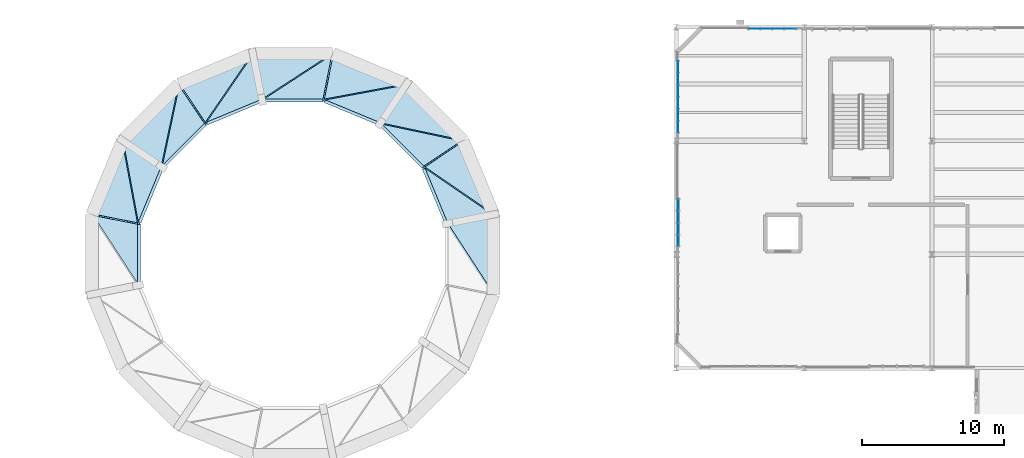
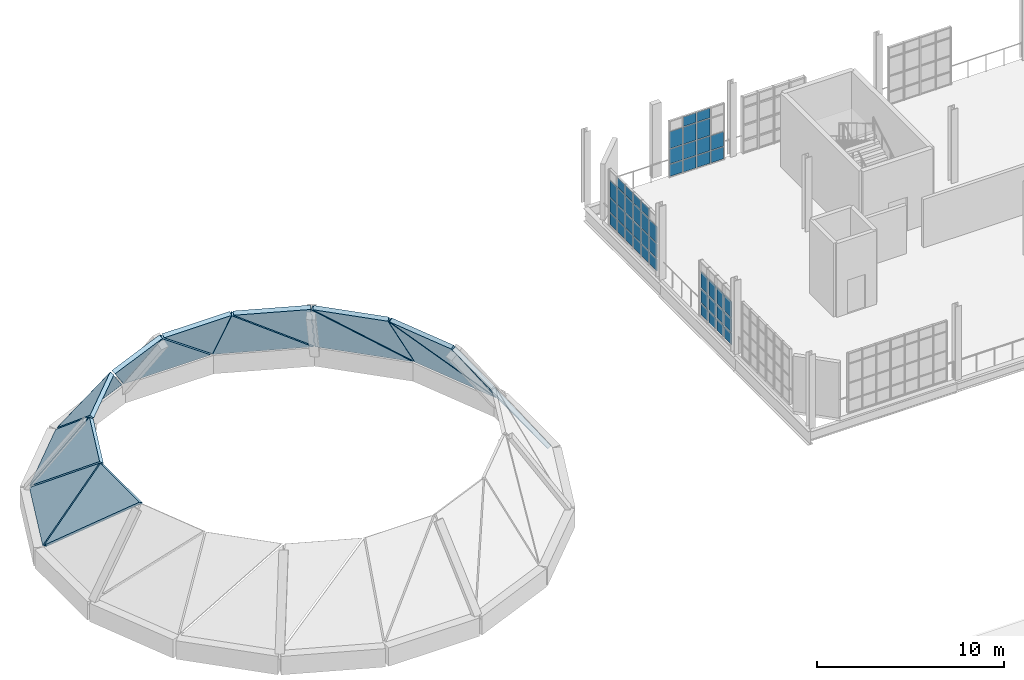
# One storey, part 96 of 118: 47 plates, 16 slabs, 3 elements without a shape of their own.
"""IFC4 building model written with IfcOpenShell, lengths in metres."""

from ifc_helpers import new_model, si_unit, direction, frame, origin, origin_2d, place, context, subcontext, project, spatial, polyline, rectangle, outline, extrude, material, layer, layer_set, type_object, element, aggregate, save


model = new_model("IFC4")

# Units and contexts
model_context = context("Model", 3, precision=1e-05, world=origin(), true_north=direction((0.0, 1.0)))
body_context = subcontext(model_context, "Body", "Model", "MODEL_VIEW")
ifc_project = project(units=[si_unit("LENGTHUNIT", "METRE"), si_unit("AREAUNIT", "SQUARE_METRE"), si_unit("VOLUMEUNIT", "CUBIC_METRE"), si_unit("PLANEANGLEUNIT", "RADIAN"), si_unit("MASSUNIT", "GRAM", prefix="KILO"), si_unit("THERMODYNAMICTEMPERATUREUNIT", "KELVIN"), si_unit("POWERUNIT", "WATT")], contexts=[model_context])

# Site, building, storey
site_placement = place(None, origin())
site = spatial("IfcSite", under=ifc_project, at=site_placement, CompositionType="ELEMENT")
building_placement = place(site_placement, origin())
building = spatial("IfcBuilding", under=site, at=building_placement, Name="Zelmaris Science Centre", CompositionType="ELEMENT")
storey_placement = place(building_placement, frame((0.0, 0.0, 15.60009765625)))
storey = spatial("IfcBuildingStorey", under=building, at=storey_placement, Name="L03", CompositionType="ELEMENT", Elevation=15.60009765625)

# Curtain wall, plates
ifc_material_1 = material(Name="Anodised architectural aluminium 6063-T6", Category="aluminium")
ifc_layer_1 = layer(ifc_material_1, 0.18994140625, Name="Anodised architectural aluminium 6063-T6")
ifc_layer_set_1 = layer_set([ifc_layer_1], Name="Anodised architectural aluminium 6063-T6")
curtain_wall_type_1 = type_object("IfcCurtainWallType", Name="Curtain Wall CW-01", PredefinedType="USERDEFINED", material=ifc_layer_set_1)
curtain_wall_1_placement = place(storey_placement, origin())
curtain_wall_1 = element("IfcCurtainWall", 1, at=curtain_wall_1_placement, inside=storey, type_object=curtain_wall_type_1, Name="L03 Unitised curtain wall 277", ObjectType="GLAZED CURTAIN WALL", PredefinedType="USERDEFINED")
ifc_material_2 = material(Name="Laminated hurricane-rated low-E insulated glazing", Category="glass")
ifc_layer_2 = layer(ifc_material_2, 0.031982421875, Name="Laminated hurricane-rated low-E insulated glazing")
ifc_layer_set_2 = layer_set([ifc_layer_2], Name="Laminated hurricane-rated low-E insulated glazing")
plate_type_1 = type_object("IfcPlateType", Name="Curtain Glazing Panel CWP-1 32mm", PredefinedType="CURTAIN_PANEL", material=ifc_layer_set_2)
plate_1_placement = place(storey_placement, frame((54.1201171875, 72.98291015625, 0.05712890625), z_axis=(0.0, 0.0, 1.0), x_axis=(0.0, 1.0, 0.0)))
plate_1 = element("IfcPlate", 2, at=plate_1_placement, type_object=plate_type_1, Name="CW-01 panel 1.1", PredefinedType="CURTAIN_PANEL", context=body_context, shape_type="SweptSolid", body=[
    extrude(rectangle(XDim=0.741943359375, YDim=0.031982421875, at=origin_2d()), origin(), (0.0, 0.0, 1.0), 0.741943359375),
])
plate_2_placement = place(storey_placement, frame((54.1201171875, 72.98291015625, 0.87109375), z_axis=(0.0, 0.0, 1.0), x_axis=(0.0, 1.0, 0.0)))
plate_2 = element("IfcPlate", 3, at=plate_2_placement, type_object=plate_type_1, Name="CW-01 panel 1.2", PredefinedType="CURTAIN_PANEL", context=body_context, shape_type="SweptSolid", body=[
    extrude(rectangle(XDim=0.741943359375, YDim=0.031982421875, at=origin_2d()), origin(), (0.0, 0.0, 1.0), 0.886962890625),
])
plate_3_placement = place(storey_placement, frame((54.1201171875, 72.98291015625, 1.829833984375), z_axis=(0.0, 0.0, 1.0), x_axis=(0.0, 1.0, 0.0)))
plate_3 = element("IfcPlate", 4, at=plate_3_placement, type_object=plate_type_1, Name="CW-01 panel 1.3", PredefinedType="CURTAIN_PANEL", context=body_context, shape_type="SweptSolid", body=[
    extrude(rectangle(XDim=0.741943359375, YDim=0.031982421875, at=origin_2d()), origin(), (0.0, 0.0, 1.0), 1.037109375),
])
plate_4_placement = place(storey_placement, frame((54.1201171875, 73.81494140625, 0.05712890625), z_axis=(0.0, 0.0, 1.0), x_axis=(0.0, 1.0, 0.0)))
plate_4 = element("IfcPlate", 5, at=plate_4_placement, type_object=plate_type_1, Name="CW-01 panel 2.1", PredefinedType="CURTAIN_PANEL", context=body_context, shape_type="SweptSolid", body=[
    extrude(rectangle(XDim=0.778076171875, YDim=0.031982421875, at=origin_2d()), origin(), (0.0, 0.0, 1.0), 0.741943359375),
])
plate_5_placement = place(storey_placement, frame((54.1201171875, 73.81494140625, 0.87109375), z_axis=(0.0, 0.0, 1.0), x_axis=(0.0, 1.0, 0.0)))
plate_5 = element("IfcPlate", 6, at=plate_5_placement, type_object=plate_type_1, Name="CW-01 panel 2.2", PredefinedType="CURTAIN_PANEL", context=body_context, shape_type="SweptSolid", body=[
    extrude(rectangle(XDim=0.778076171875, YDim=0.031982421875, at=origin_2d()), origin(), (0.0, 0.0, 1.0), 0.886962890625),
])
plate_6_placement = place(storey_placement, frame((54.1201171875, 73.81494140625, 1.829833984375), z_axis=(0.0, 0.0, 1.0), x_axis=(0.0, 1.0, 0.0)))
plate_6 = element("IfcPlate", 7, at=plate_6_placement, type_object=plate_type_1, Name="CW-01 panel 2.3", PredefinedType="CURTAIN_PANEL", context=body_context, shape_type="SweptSolid", body=[
    extrude(rectangle(XDim=0.778076171875, YDim=0.031982421875, at=origin_2d()), origin(), (0.0, 0.0, 1.0), 1.037109375),
])
plate_7_placement = place(storey_placement, frame((54.1201171875, 74.6650390625, 0.05712890625), z_axis=(0.0, 0.0, 1.0), x_axis=(0.0, 1.0, 0.0)))
plate_7 = element("IfcPlate", 8, at=plate_7_placement, type_object=plate_type_1, Name="CW-01 panel 3.1", PredefinedType="CURTAIN_PANEL", context=body_context, shape_type="SweptSolid", body=[
    extrude(rectangle(XDim=0.778076171875, YDim=0.031982421875, at=origin_2d()), origin(), (0.0, 0.0, 1.0), 0.741943359375),
])
plate_8_placement = place(storey_placement, frame((54.1201171875, 74.6650390625, 0.87109375), z_axis=(0.0, 0.0, 1.0), x_axis=(0.0, 1.0, 0.0)))
plate_8 = element("IfcPlate", 9, at=plate_8_placement, type_object=plate_type_1, Name="CW-01 panel 3.2", PredefinedType="CURTAIN_PANEL", context=body_context, shape_type="SweptSolid", body=[
    extrude(rectangle(XDim=0.778076171875, YDim=0.031982421875, at=origin_2d()), origin(), (0.0, 0.0, 1.0), 0.886962890625),
])
plate_9_placement = place(storey_placement, frame((54.1201171875, 74.6650390625, 1.829833984375), z_axis=(0.0, 0.0, 1.0), x_axis=(0.0, 1.0, 0.0)))
plate_9 = element("IfcPlate", 10, at=plate_9_placement, type_object=plate_type_1, Name="CW-01 panel 3.3", PredefinedType="CURTAIN_PANEL", context=body_context, shape_type="SweptSolid", body=[
    extrude(rectangle(XDim=0.778076171875, YDim=0.031982421875, at=origin_2d()), origin(), (0.0, 0.0, 1.0), 1.037109375),
])
plate_10_placement = place(storey_placement, frame((54.1201171875, 75.4970703125, 0.05712890625), z_axis=(0.0, 0.0, 1.0), x_axis=(0.0, 1.0, 0.0)))
plate_10 = element("IfcPlate", 11, at=plate_10_placement, type_object=plate_type_1, Name="CW-01 panel 4.1", PredefinedType="CURTAIN_PANEL", context=body_context, shape_type="SweptSolid", body=[
    extrude(rectangle(XDim=0.741943359375, YDim=0.031982421875, at=origin_2d()), origin(), (0.0, 0.0, 1.0), 0.741943359375),
])
plate_11_placement = place(storey_placement, frame((54.1201171875, 75.4970703125, 0.87109375), z_axis=(0.0, 0.0, 1.0), x_axis=(0.0, 1.0, 0.0)))
plate_11 = element("IfcPlate", 12, at=plate_11_placement, type_object=plate_type_1, Name="CW-01 panel 4.2", PredefinedType="CURTAIN_PANEL", context=body_context, shape_type="SweptSolid", body=[
    extrude(rectangle(XDim=0.741943359375, YDim=0.031982421875, at=origin_2d()), origin(), (0.0, 0.0, 1.0), 0.886962890625),
])
plate_12_placement = place(storey_placement, frame((54.1201171875, 75.4970703125, 1.829833984375), z_axis=(0.0, 0.0, 1.0), x_axis=(0.0, 1.0, 0.0)))
plate_12 = element("IfcPlate", 13, at=plate_12_placement, type_object=plate_type_1, Name="CW-01 panel 4.3", PredefinedType="CURTAIN_PANEL", context=body_context, shape_type="SweptSolid", body=[
    extrude(rectangle(XDim=0.741943359375, YDim=0.031982421875, at=origin_2d()), origin(), (0.0, 0.0, 1.0), 1.037109375),
])
aggregate(curtain_wall_1, [plate_1, plate_2, plate_3, plate_4, plate_5, plate_6, plate_7, plate_8, plate_9, plate_10, plate_11, plate_12])

ifc_layer_3 = layer(ifc_material_1, 0.2099609375, Name="Anodised architectural aluminium 6063-T6")
ifc_layer_set_3 = layer_set([ifc_layer_3], Name="Anodised architectural aluminium 6063-T6")
curtain_wall_type_2 = type_object("IfcCurtainWallType", Name="Curtain Wall CW-03", PredefinedType="USERDEFINED", material=ifc_layer_set_3)
curtain_wall_2_placement = place(storey_placement, origin())
curtain_wall_2 = element("IfcCurtainWall", 14, at=curtain_wall_2_placement, inside=storey, type_object=curtain_wall_type_2, Name="L03 Unitised curtain wall 279", ObjectType="GLAZED CURTAIN WALL", PredefinedType="USERDEFINED")
ifc_layer_4 = layer(ifc_material_2, 0.02587890625, Name="Laminated hurricane-rated low-E insulated glazing")
ifc_layer_set_4 = layer_set([ifc_layer_4], Name="Laminated hurricane-rated low-E insulated glazing")
plate_type_2 = type_object("IfcPlateType", Name="Curtain Glazing Panel CWP-3 26mm", PredefinedType="CURTAIN_PANEL", material=ifc_layer_set_4)
plate_13_placement = place(storey_placement, frame((54.1201171875, 80.98095703125, 0.0419921875), z_axis=(0.0, 0.0, 1.0), x_axis=(0.0, 1.0, 0.0)))
plate_13 = element("IfcPlate", 15, at=plate_13_placement, type_object=plate_type_2, Name="CW-03 panel 1.1", PredefinedType="CURTAIN_PANEL", context=body_context, shape_type="SweptSolid", body=[
    extrude(rectangle(XDim=0.767822265625, YDim=0.02587890625, at=origin_2d()), origin(), (0.0, 0.0, 1.0), 0.764404296875),
])
plate_14_placement = place(storey_placement, frame((54.1201171875, 80.98095703125, 0.86328125), z_axis=(0.0, 0.0, 1.0), x_axis=(0.0, 1.0, 0.0)))
plate_14 = element("IfcPlate", 16, at=plate_14_placement, type_object=plate_type_2, Name="CW-03 panel 1.2", PredefinedType="CURTAIN_PANEL", context=body_context, shape_type="SweptSolid", body=[
    extrude(rectangle(XDim=0.767822265625, YDim=0.02587890625, at=origin_2d()), origin(), (0.0, 0.0, 1.0), 0.927490234375),
])
plate_15_placement = place(storey_placement, frame((54.1201171875, 80.98095703125, 1.84814453125), z_axis=(0.0, 0.0, 1.0), x_axis=(0.0, 1.0, 0.0)))
plate_15 = element("IfcPlate", 17, at=plate_15_placement, type_object=plate_type_2, Name="CW-03 panel 1.3", PredefinedType="CURTAIN_PANEL", context=body_context, shape_type="SweptSolid", body=[
    extrude(rectangle(XDim=0.767822265625, YDim=0.02587890625, at=origin_2d()), origin(), (0.0, 0.0, 1.0), 1.077392578125),
])
plate_16_placement = place(storey_placement, frame((54.1201171875, 81.820068359375, 0.0419921875), z_axis=(0.0, 0.0, 1.0), x_axis=(0.0, 1.0, 0.0)))
plate_16 = element("IfcPlate", 18, at=plate_16_placement, type_object=plate_type_2, Name="CW-03 panel 2.1", PredefinedType="CURTAIN_PANEL", context=body_context, shape_type="SweptSolid", body=[
    extrude(rectangle(XDim=0.79638671875, YDim=0.02587890625, at=origin_2d()), origin(), (0.0, 0.0, 1.0), 0.764404296875),
])
plate_17_placement = place(storey_placement, frame((54.1201171875, 81.820068359375, 0.86328125), z_axis=(0.0, 0.0, 1.0), x_axis=(0.0, 1.0, 0.0)))
plate_17 = element("IfcPlate", 19, at=plate_17_placement, type_object=plate_type_2, Name="CW-03 panel 2.2", PredefinedType="CURTAIN_PANEL", context=body_context, shape_type="SweptSolid", body=[
    extrude(rectangle(XDim=0.79638671875, YDim=0.02587890625, at=origin_2d()), origin(), (0.0, 0.0, 1.0), 0.927490234375),
])
plate_18_placement = place(storey_placement, frame((54.1201171875, 81.820068359375, 1.84814453125), z_axis=(0.0, 0.0, 1.0), x_axis=(0.0, 1.0, 0.0)))
plate_18 = element("IfcPlate", 20, at=plate_18_placement, type_object=plate_type_2, Name="CW-03 panel 2.3", PredefinedType="CURTAIN_PANEL", context=body_context, shape_type="SweptSolid", body=[
    extrude(rectangle(XDim=0.79638671875, YDim=0.02587890625, at=origin_2d()), origin(), (0.0, 0.0, 1.0), 1.077392578125),
])
plate_19_placement = place(storey_placement, frame((54.1201171875, 81.820068359375, 2.982421875), z_axis=(0.0, 0.0, 1.0), x_axis=(0.0, 1.0, 0.0)))
plate_19 = element("IfcPlate", 21, at=plate_19_placement, type_object=plate_type_2, Name="CW-03 panel 2.4", PredefinedType="CURTAIN_PANEL", context=body_context, shape_type="SweptSolid", body=[
    extrude(rectangle(XDim=0.79638671875, YDim=0.02587890625, at=origin_2d()), origin(), (0.0, 0.0, 1.0), 0.614501953125),
])
plate_20_placement = place(storey_placement, frame((54.1201171875, 82.67333984375, 0.0419921875), z_axis=(0.0, 0.0, 1.0), x_axis=(0.0, 1.0, 0.0)))
plate_20 = element("IfcPlate", 22, at=plate_20_placement, type_object=plate_type_2, Name="CW-03 panel 3.1", PredefinedType="CURTAIN_PANEL", context=body_context, shape_type="SweptSolid", body=[
    extrude(rectangle(XDim=0.79638671875, YDim=0.02587890625, at=origin_2d()), origin(), (0.0, 0.0, 1.0), 0.764404296875),
])
plate_21_placement = place(storey_placement, frame((54.1201171875, 82.67333984375, 0.86328125), z_axis=(0.0, 0.0, 1.0), x_axis=(0.0, 1.0, 0.0)))
plate_21 = element("IfcPlate", 23, at=plate_21_placement, type_object=plate_type_2, Name="CW-03 panel 3.2", PredefinedType="CURTAIN_PANEL", context=body_context, shape_type="SweptSolid", body=[
    extrude(rectangle(XDim=0.79638671875, YDim=0.02587890625, at=origin_2d()), origin(), (0.0, 0.0, 1.0), 0.927490234375),
])
plate_22_placement = place(storey_placement, frame((54.1201171875, 82.67333984375, 1.84814453125), z_axis=(0.0, 0.0, 1.0), x_axis=(0.0, 1.0, 0.0)))
plate_22 = element("IfcPlate", 24, at=plate_22_placement, type_object=plate_type_2, Name="CW-03 panel 3.3", PredefinedType="CURTAIN_PANEL", context=body_context, shape_type="SweptSolid", body=[
    extrude(rectangle(XDim=0.79638671875, YDim=0.02587890625, at=origin_2d()), origin(), (0.0, 0.0, 1.0), 1.077392578125),
])
plate_23_placement = place(storey_placement, frame((54.1201171875, 82.67333984375, 2.982421875), z_axis=(0.0, 0.0, 1.0), x_axis=(0.0, 1.0, 0.0)))
plate_23 = element("IfcPlate", 25, at=plate_23_placement, type_object=plate_type_2, Name="CW-03 panel 3.4", PredefinedType="CURTAIN_PANEL", context=body_context, shape_type="SweptSolid", body=[
    extrude(rectangle(XDim=0.79638671875, YDim=0.02587890625, at=origin_2d()), origin(), (0.0, 0.0, 1.0), 0.614501953125),
])
plate_24_placement = place(storey_placement, frame((54.1201171875, 83.526611328125, 0.0419921875), z_axis=(0.0, 0.0, 1.0), x_axis=(0.0, 1.0, 0.0)))
plate_24 = element("IfcPlate", 26, at=plate_24_placement, type_object=plate_type_2, Name="CW-03 panel 4.1", PredefinedType="CURTAIN_PANEL", context=body_context, shape_type="SweptSolid", body=[
    extrude(rectangle(XDim=0.79638671875, YDim=0.02587890625, at=origin_2d()), origin(), (0.0, 0.0, 1.0), 0.764404296875),
])
plate_25_placement = place(storey_placement, frame((54.1201171875, 83.526611328125, 0.86328125), z_axis=(0.0, 0.0, 1.0), x_axis=(0.0, 1.0, 0.0)))
plate_25 = element("IfcPlate", 27, at=plate_25_placement, type_object=plate_type_2, Name="CW-03 panel 4.2", PredefinedType="CURTAIN_PANEL", context=body_context, shape_type="SweptSolid", body=[
    extrude(rectangle(XDim=0.79638671875, YDim=0.02587890625, at=origin_2d()), origin(), (0.0, 0.0, 1.0), 0.927490234375),
])
plate_26_placement = place(storey_placement, frame((54.1201171875, 83.526611328125, 1.84814453125), z_axis=(0.0, 0.0, 1.0), x_axis=(0.0, 1.0, 0.0)))
plate_26 = element("IfcPlate", 28, at=plate_26_placement, type_object=plate_type_2, Name="CW-03 panel 4.3", PredefinedType="CURTAIN_PANEL", context=body_context, shape_type="SweptSolid", body=[
    extrude(rectangle(XDim=0.79638671875, YDim=0.02587890625, at=origin_2d()), origin(), (0.0, 0.0, 1.0), 1.077392578125),
])
plate_27_placement = place(storey_placement, frame((54.1201171875, 83.526611328125, 2.982421875), z_axis=(0.0, 0.0, 1.0), x_axis=(0.0, 1.0, 0.0)))
plate_27 = element("IfcPlate", 29, at=plate_27_placement, type_object=plate_type_2, Name="CW-03 panel 4.4", PredefinedType="CURTAIN_PANEL", context=body_context, shape_type="SweptSolid", body=[
    extrude(rectangle(XDim=0.79638671875, YDim=0.02587890625, at=origin_2d()), origin(), (0.0, 0.0, 1.0), 0.614501953125),
])
plate_28_placement = place(storey_placement, frame((54.1201171875, 84.3798828125, 0.0419921875), z_axis=(0.0, 0.0, 1.0), x_axis=(0.0, 1.0, 0.0)))
plate_28 = element("IfcPlate", 30, at=plate_28_placement, type_object=plate_type_2, Name="CW-03 panel 5.1", PredefinedType="CURTAIN_PANEL", context=body_context, shape_type="SweptSolid", body=[
    extrude(rectangle(XDim=0.79638671875, YDim=0.02587890625, at=origin_2d()), origin(), (0.0, 0.0, 1.0), 0.764404296875),
])
plate_29_placement = place(storey_placement, frame((54.1201171875, 84.3798828125, 0.86328125), z_axis=(0.0, 0.0, 1.0), x_axis=(0.0, 1.0, 0.0)))
plate_29 = element("IfcPlate", 31, at=plate_29_placement, type_object=plate_type_2, Name="CW-03 panel 5.2", PredefinedType="CURTAIN_PANEL", context=body_context, shape_type="SweptSolid", body=[
    extrude(rectangle(XDim=0.79638671875, YDim=0.02587890625, at=origin_2d()), origin(), (0.0, 0.0, 1.0), 0.927490234375),
])
plate_30_placement = place(storey_placement, frame((54.1201171875, 84.3798828125, 1.84814453125), z_axis=(0.0, 0.0, 1.0), x_axis=(0.0, 1.0, 0.0)))
plate_30 = element("IfcPlate", 32, at=plate_30_placement, type_object=plate_type_2, Name="CW-03 panel 5.3", PredefinedType="CURTAIN_PANEL", context=body_context, shape_type="SweptSolid", body=[
    extrude(rectangle(XDim=0.79638671875, YDim=0.02587890625, at=origin_2d()), origin(), (0.0, 0.0, 1.0), 1.077392578125),
])
plate_31_placement = place(storey_placement, frame((54.1201171875, 84.3798828125, 2.982421875), z_axis=(0.0, 0.0, 1.0), x_axis=(0.0, 1.0, 0.0)))
plate_31 = element("IfcPlate", 33, at=plate_31_placement, type_object=plate_type_2, Name="CW-03 panel 5.4", PredefinedType="CURTAIN_PANEL", context=body_context, shape_type="SweptSolid", body=[
    extrude(rectangle(XDim=0.79638671875, YDim=0.02587890625, at=origin_2d()), origin(), (0.0, 0.0, 1.0), 0.614501953125),
])
plate_32_placement = place(storey_placement, frame((54.1201171875, 85.218994140625, 0.0419921875), z_axis=(0.0, 0.0, 1.0), x_axis=(0.0, 1.0, 0.0)))
plate_32 = element("IfcPlate", 34, at=plate_32_placement, type_object=plate_type_2, Name="CW-03 panel 6.1", PredefinedType="CURTAIN_PANEL", context=body_context, shape_type="SweptSolid", body=[
    extrude(rectangle(XDim=0.767822265625, YDim=0.02587890625, at=origin_2d()), origin(), (0.0, 0.0, 1.0), 0.764404296875),
])
plate_33_placement = place(storey_placement, frame((54.1201171875, 85.218994140625, 0.86328125), z_axis=(0.0, 0.0, 1.0), x_axis=(0.0, 1.0, 0.0)))
plate_33 = element("IfcPlate", 35, at=plate_33_placement, type_object=plate_type_2, Name="CW-03 panel 6.2", PredefinedType="CURTAIN_PANEL", context=body_context, shape_type="SweptSolid", body=[
    extrude(rectangle(XDim=0.767822265625, YDim=0.02587890625, at=origin_2d()), origin(), (0.0, 0.0, 1.0), 0.927490234375),
])
plate_34_placement = place(storey_placement, frame((54.1201171875, 85.218994140625, 1.84814453125), z_axis=(0.0, 0.0, 1.0), x_axis=(0.0, 1.0, 0.0)))
plate_34 = element("IfcPlate", 36, at=plate_34_placement, type_object=plate_type_2, Name="CW-03 panel 6.3", PredefinedType="CURTAIN_PANEL", context=body_context, shape_type="SweptSolid", body=[
    extrude(rectangle(XDim=0.767822265625, YDim=0.02587890625, at=origin_2d()), origin(), (0.0, 0.0, 1.0), 1.077392578125),
])
aggregate(curtain_wall_2, [plate_13, plate_14, plate_15, plate_16, plate_17, plate_18, plate_19, plate_20, plate_21, plate_22, plate_23, plate_24, plate_25, plate_26, plate_27, plate_28, plate_29, plate_30, plate_31, plate_32, plate_33, plate_34])

ifc_layer_5 = layer(ifc_material_1, 0.219970703125, Name="Anodised architectural aluminium 6063-T6")
ifc_layer_set_5 = layer_set([ifc_layer_5], Name="Anodised architectural aluminium 6063-T6")
curtain_wall_type_3 = type_object("IfcCurtainWallType", Name="Curtain Wall CW-04", PredefinedType="USERDEFINED", material=ifc_layer_set_5)
curtain_wall_3_placement = place(storey_placement, origin())
curtain_wall_3 = element("IfcCurtainWall", 37, at=curtain_wall_3_placement, inside=storey, type_object=curtain_wall_type_3, Name="L03 Unitised curtain wall 280", ObjectType="GLAZED CURTAIN WALL", PredefinedType="USERDEFINED")
ifc_layer_6 = layer(ifc_material_2, 0.02392578125, Name="Laminated hurricane-rated low-E insulated glazing")
ifc_layer_set_6 = layer_set([ifc_layer_6], Name="Laminated hurricane-rated low-E insulated glazing")
plate_type_3 = type_object("IfcPlateType", Name="Curtain Glazing Panel CWP-4 24mm", PredefinedType="CURTAIN_PANEL", material=ifc_layer_set_6)
plate_35_placement = place(storey_placement, frame((59.48046875, 87.8798828125, 0.036865234375), z_axis=(0.0, 0.0, 1.0), x_axis=(1.0, 0.0, 0.0)))
plate_35 = element("IfcPlate", 38, at=plate_35_placement, type_object=plate_type_3, Name="CW-04 panel 1.1", PredefinedType="CURTAIN_PANEL", context=body_context, shape_type="SweptSolid", body=[
    extrude(rectangle(XDim=0.777099609375, YDim=0.02392578125, at=origin_2d()), origin(), (0.0, 0.0, 1.0), 0.77197265625),
])
plate_36_placement = place(storey_placement, frame((59.48046875, 87.8798828125, 0.86083984375), z_axis=(0.0, 0.0, 1.0), x_axis=(1.0, 0.0, 0.0)))
plate_36 = element("IfcPlate", 39, at=plate_36_placement, type_object=plate_type_3, Name="CW-04 panel 1.2", PredefinedType="CURTAIN_PANEL", context=body_context, shape_type="SweptSolid", body=[
    extrude(rectangle(XDim=0.777099609375, YDim=0.02392578125, at=origin_2d()), origin(), (0.0, 0.0, 1.0), 0.945068359375),
])
plate_37_placement = place(storey_placement, frame((59.48046875, 87.8798828125, 1.85791015625), z_axis=(0.0, 0.0, 1.0), x_axis=(1.0, 0.0, 0.0)))
plate_37 = element("IfcPlate", 40, at=plate_37_placement, type_object=plate_type_3, Name="CW-04 panel 1.3", PredefinedType="CURTAIN_PANEL", context=body_context, shape_type="SweptSolid", body=[
    extrude(rectangle(XDim=0.777099609375, YDim=0.02392578125, at=origin_2d()), origin(), (0.0, 0.0, 1.0), 1.094970703125),
])
plate_38_placement = place(storey_placement, frame((60.322509765625, 87.8798828125, 0.036865234375), z_axis=(0.0, 0.0, 1.0), x_axis=(1.0, 0.0, 0.0)))
plate_38 = element("IfcPlate", 41, at=plate_38_placement, type_object=plate_type_3, Name="CW-04 panel 2.1", PredefinedType="CURTAIN_PANEL", context=body_context, shape_type="SweptSolid", body=[
    extrude(rectangle(XDim=0.802978515625, YDim=0.02392578125, at=origin_2d()), origin(), (0.0, 0.0, 1.0), 0.77197265625),
])
plate_39_placement = place(storey_placement, frame((60.322509765625, 87.8798828125, 0.86083984375), z_axis=(0.0, 0.0, 1.0), x_axis=(1.0, 0.0, 0.0)))
plate_39 = element("IfcPlate", 42, at=plate_39_placement, type_object=plate_type_3, Name="CW-04 panel 2.2", PredefinedType="CURTAIN_PANEL", context=body_context, shape_type="SweptSolid", body=[
    extrude(rectangle(XDim=0.802978515625, YDim=0.02392578125, at=origin_2d()), origin(), (0.0, 0.0, 1.0), 0.945068359375),
])
plate_40_placement = place(storey_placement, frame((60.322509765625, 87.8798828125, 1.85791015625), z_axis=(0.0, 0.0, 1.0), x_axis=(1.0, 0.0, 0.0)))
plate_40 = element("IfcPlate", 43, at=plate_40_placement, type_object=plate_type_3, Name="CW-04 panel 2.3", PredefinedType="CURTAIN_PANEL", context=body_context, shape_type="SweptSolid", body=[
    extrude(rectangle(XDim=0.802978515625, YDim=0.02392578125, at=origin_2d()), origin(), (0.0, 0.0, 1.0), 1.094970703125),
])
plate_41_placement = place(storey_placement, frame((60.322509765625, 87.8798828125, 3.0048828125), z_axis=(0.0, 0.0, 1.0), x_axis=(1.0, 0.0, 0.0)))
plate_41 = element("IfcPlate", 44, at=plate_41_placement, type_object=plate_type_3, Name="CW-04 panel 2.4", PredefinedType="CURTAIN_PANEL", context=body_context, shape_type="SweptSolid", body=[
    extrude(rectangle(XDim=0.802978515625, YDim=0.02392578125, at=origin_2d()), origin(), (0.0, 0.0, 1.0), 0.6220703125),
])
plate_42_placement = place(storey_placement, frame((61.177490234375, 87.8798828125, 0.036865234375), z_axis=(0.0, 0.0, 1.0), x_axis=(1.0, 0.0, 0.0)))
plate_42 = element("IfcPlate", 45, at=plate_42_placement, type_object=plate_type_3, Name="CW-04 panel 3.1", PredefinedType="CURTAIN_PANEL", context=body_context, shape_type="SweptSolid", body=[
    extrude(rectangle(XDim=0.802978515625, YDim=0.02392578125, at=origin_2d()), origin(), (0.0, 0.0, 1.0), 0.77197265625),
])
plate_43_placement = place(storey_placement, frame((61.177490234375, 87.8798828125, 0.86083984375), z_axis=(0.0, 0.0, 1.0), x_axis=(1.0, 0.0, 0.0)))
plate_43 = element("IfcPlate", 46, at=plate_43_placement, type_object=plate_type_3, Name="CW-04 panel 3.2", PredefinedType="CURTAIN_PANEL", context=body_context, shape_type="SweptSolid", body=[
    extrude(rectangle(XDim=0.802978515625, YDim=0.02392578125, at=origin_2d()), origin(), (0.0, 0.0, 1.0), 0.945068359375),
])
plate_44_placement = place(storey_placement, frame((61.177490234375, 87.8798828125, 1.85791015625), z_axis=(0.0, 0.0, 1.0), x_axis=(1.0, 0.0, 0.0)))
plate_44 = element("IfcPlate", 47, at=plate_44_placement, type_object=plate_type_3, Name="CW-04 panel 3.3", PredefinedType="CURTAIN_PANEL", context=body_context, shape_type="SweptSolid", body=[
    extrude(rectangle(XDim=0.802978515625, YDim=0.02392578125, at=origin_2d()), origin(), (0.0, 0.0, 1.0), 1.094970703125),
])
plate_45_placement = place(storey_placement, frame((61.177490234375, 87.8798828125, 3.0048828125), z_axis=(0.0, 0.0, 1.0), x_axis=(1.0, 0.0, 0.0)))
plate_45 = element("IfcPlate", 48, at=plate_45_placement, type_object=plate_type_3, Name="CW-04 panel 3.4", PredefinedType="CURTAIN_PANEL", context=body_context, shape_type="SweptSolid", body=[
    extrude(rectangle(XDim=0.802978515625, YDim=0.02392578125, at=origin_2d()), origin(), (0.0, 0.0, 1.0), 0.6220703125),
])
plate_46_placement = place(storey_placement, frame((62.01953125, 87.8798828125, 0.036865234375), z_axis=(0.0, 0.0, 1.0), x_axis=(1.0, 0.0, 0.0)))
plate_46 = element("IfcPlate", 49, at=plate_46_placement, type_object=plate_type_3, Name="CW-04 panel 4.1", PredefinedType="CURTAIN_PANEL", context=body_context, shape_type="SweptSolid", body=[
    extrude(rectangle(XDim=0.777099609375, YDim=0.02392578125, at=origin_2d()), origin(), (0.0, 0.0, 1.0), 0.77197265625),
])
plate_47_placement = place(storey_placement, frame((62.01953125, 87.8798828125, 0.86083984375), z_axis=(0.0, 0.0, 1.0), x_axis=(1.0, 0.0, 0.0)))
plate_47 = element("IfcPlate", 50, at=plate_47_placement, type_object=plate_type_3, Name="CW-04 panel 4.2", PredefinedType="CURTAIN_PANEL", context=body_context, shape_type="SweptSolid", body=[
    extrude(rectangle(XDim=0.777099609375, YDim=0.02392578125, at=origin_2d()), origin(), (0.0, 0.0, 1.0), 0.945068359375),
])
aggregate(curtain_wall_3, [plate_35, plate_36, plate_37, plate_38, plate_39, plate_40, plate_41, plate_42, plate_43, plate_44, plate_45, plate_46, plate_47])

# Slabs
ifc_material_3 = material(Name="Concrete C40/50", Category="concrete")
ifc_layer_7 = layer(ifc_material_3, 0.25, Name="Concrete C40/50")
ifc_layer_set_7 = layer_set([ifc_layer_7], Name="Concrete C40/50")
slab_type = type_object("IfcSlabType", Name="Dome Shell SL-DM250 250mm", PredefinedType="ROOF", material=ifc_layer_set_7)
slab_1_placement = place(storey_placement, frame((41.03955078125, 74.912109375, 0.056396484375), z_axis=(0.765998206437, 0.317280891734, 0.559088171468), x_axis=(-0.382677302682, 0.923882071485, 0.0)))
element("IfcSlab", 51, at=slab_1_placement, inside=storey, type_object=slab_type, Name="Dome shell facet B1-01A", PredefinedType="ROOF", context=body_context, shape_type="SweptSolid", body=[
    extrude(outline(polyline([(0.0, 0.0), (5.431765267191298, -2.220446049250313e-16), (4.809305563737939, 5.596539375249899), (0.0, 0.0)])), origin(), (0.0, 0.0, -1.0), 0.25),
])
slab_2_placement = place(storey_placement, frame((41.012939453125, 74.839599609375, 0.1337890625), z_axis=(0.76600591472, 0.317323753985, 0.55905328348), x_axis=(-0.641159512704, 0.439862536194, 0.628836567418)))
element("IfcSlab", 52, at=slab_2_placement, inside=storey, type_object=slab_type, Name="Dome shell facet B1-01B", PredefinedType="ROOF", context=body_context, shape_type="SweptSolid", body=[
    extrude(outline(polyline([(0.0, 0.0), (7.330392950195216, -4.440892098500626e-16), (4.619612559571655, 3.1544442240136736), (0.0, 0.0)])), origin(), (0.0, 0.0, -1.0), 0.25),
])
slab_3_placement = place(storey_placement, frame((38.8564453125, 80.06298828125, 0.056396484375), z_axis=(0.586276363319, 0.586239099201, 0.559109778471), x_axis=(-0.707084308025, 0.707129253634, 0.0)))
element("IfcSlab", 53, at=slab_3_placement, inside=storey, type_object=slab_type, Name="Dome shell facet B1-02A", PredefinedType="ROOF", context=body_context, shape_type="SweptSolid", body=[
    extrude(outline(polyline([(0.0, 0.0), (5.4319128128103324, -2.220446049250313e-16), (4.809296994031531, 5.59663772919847), (0.0, 0.0)])), origin(), (0.0, 0.0, -1.0), 0.25),
])
slab_4_placement = place(storey_placement, frame((38.859619140625, 79.986083984375, 0.1337890625), z_axis=(0.586274766795, 0.586274766795, 0.559074052017), x_axis=(-0.76068492041, 0.161029404123, 0.628830647209)))
element("IfcSlab", 54, at=slab_4_placement, inside=storey, type_object=slab_type, Name="Dome shell facet B1-02B", PredefinedType="ROOF", context=body_context, shape_type="SweptSolid", body=[
    extrude(outline(polyline([(0.0, 0.0), (7.330461963145077, 4.440892098500626e-16), (4.61955071616049, 3.1546520122224067), (0.0, 0.0)])), origin(), (0.0, 0.0, -1.0), 0.25),
])
slab_5_placement = place(storey_placement, frame((34.868408203125, 83.98681640625, 0.056396484375), z_axis=(0.3172505757, 0.766014986903, 0.559082383963), x_axis=(-0.923897961855, 0.382638936963, 0.0)))
element("IfcSlab", 55, at=slab_5_placement, inside=storey, type_object=slab_type, Name="Dome shell facet B1-03A", PredefinedType="ROOF", context=body_context, shape_type="SweptSolid", body=[
    extrude(outline(polyline([(0.0, 0.0), (5.431671844798723, 0.0), (4.809385538317333, 5.596513032354619), (0.0, 0.0)])), origin(), (0.0, 0.0, -1.0), 0.25),
])
slab_6_placement = place(storey_placement, frame((34.900634765625, 83.91650390625, 0.1337890625), z_axis=(0.317318532711, 0.765993310788, 0.559073516299), x_axis=(-0.764396986738, -0.142314858801, 0.628843166163)))
element("IfcSlab", 56, at=slab_6_placement, inside=storey, type_object=slab_type, Name="Dome shell facet B1-03B", PredefinedType="ROOF", context=body_context, shape_type="SweptSolid", body=[
    extrude(outline(polyline([(0.0, 0.0), (7.330316028957588, 0.0), (4.619634560477401, 3.1545292303354144), (0.0, 0.0)])), origin(), (0.0, 0.0, -1.0), 0.25),
])
slab_7_placement = place(storey_placement, frame((29.682373046875, 86.085205078125, 0.056396484375), z_axis=(0.0, 0.829112571853, 0.559081696352), x_axis=(-1.0, 0.0, 0.0)))
element("IfcSlab", 57, at=slab_7_placement, inside=storey, type_object=slab_type, Name="Dome shell facet B1-04A", PredefinedType="ROOF", context=body_context, shape_type="SweptSolid", body=[
    extrude(outline(polyline([(0.0, 0.0), (5.431884765625, 0.0), (4.809326171875, 5.596509902607257), (0.0, 0.0)])), origin(), (0.0, 0.0, -1.0), 0.25),
])
slab_8_placement = place(storey_placement, frame((29.739013671875, 86.032958984375, 0.1337890625), z_axis=(0.0, 0.829127040941, 0.55906023824), x_axis=(-0.651751209226, -0.424009639974, 0.628837170085)))
element("IfcSlab", 58, at=slab_8_placement, inside=storey, type_object=slab_type, Name="Dome shell facet B1-04B", PredefinedType="ROOF", context=body_context, shape_type="SweptSolid", body=[
    extrude(outline(polyline([(0.0, 0.0), (7.330385924864089, -4.440892098500626e-16), (4.61963553414685, 3.15445843087826), (0.0, 0.0)])), origin(), (0.0, 0.0, -1.0), 0.25),
])
slab_9_placement = place(storey_placement, frame((24.087890625, 86.03955078125, 0.056396484375), z_axis=(-0.317280891734, 0.765998206437, 0.559088171468), x_axis=(-0.923882071485, -0.382677302682, 0.0)))
element("IfcSlab", 59, at=slab_9_placement, inside=storey, type_object=slab_type, Name="Dome shell facet B1-05A", PredefinedType="ROOF", context=body_context, shape_type="SweptSolid", body=[
    extrude(outline(polyline([(0.0, 0.0), (5.431765267191298, -2.220446049250313e-16), (4.809305563737939, 5.596539375249899), (0.0, 0.0)])), origin(), (0.0, 0.0, -1.0), 0.25),
])
slab_10_placement = place(storey_placement, frame((24.160400390625, 86.012939453125, 0.1337890625), z_axis=(-0.317323753985, 0.76600591472, 0.55905328348), x_axis=(-0.439862536194, -0.641159512704, 0.628836567418)))
element("IfcSlab", 60, at=slab_10_placement, inside=storey, type_object=slab_type, Name="Dome shell facet B1-05B", PredefinedType="ROOF", context=body_context, shape_type="SweptSolid", body=[
    extrude(outline(polyline([(0.0, 0.0), (7.330392950195216, -4.440892098500626e-16), (4.619612559571655, 3.1544442240136736), (0.0, 0.0)])), origin(), (0.0, 0.0, -1.0), 0.25),
])
slab_11_placement = place(storey_placement, frame((18.93701171875, 83.8564453125, 0.056396484375), z_axis=(-0.586239099201, 0.586276363319, 0.559109778471), x_axis=(-0.707129253634, -0.707084308025, 0.0)))
element("IfcSlab", 61, at=slab_11_placement, inside=storey, type_object=slab_type, Name="Dome shell facet B1-06A", PredefinedType="ROOF", context=body_context, shape_type="SweptSolid", body=[
    extrude(outline(polyline([(0.0, 0.0), (5.4319128128103324, -2.220446049250313e-16), (4.809296994031531, 5.59663772919847), (0.0, 0.0)])), origin(), (0.0, 0.0, -1.0), 0.25),
])
slab_12_placement = place(storey_placement, frame((19.013916015625, 83.859619140625, 0.1337890625), z_axis=(-0.586274766795, 0.586274766795, 0.559074052017), x_axis=(-0.161029404123, -0.76068492041, 0.628830647209)))
element("IfcSlab", 62, at=slab_12_placement, inside=storey, type_object=slab_type, Name="Dome shell facet B1-06B", PredefinedType="ROOF", context=body_context, shape_type="SweptSolid", body=[
    extrude(outline(polyline([(0.0, 0.0), (7.330461963145077, 4.440892098500626e-16), (4.61955071616049, 3.1546520122224067), (0.0, 0.0)])), origin(), (0.0, 0.0, -1.0), 0.25),
])
slab_13_placement = place(storey_placement, frame((15.01318359375, 79.868408203125, 0.056396484375), z_axis=(-0.766014986903, 0.3172505757, 0.559082383963), x_axis=(-0.382638936963, -0.923897961855, 0.0)))
element("IfcSlab", 63, at=slab_13_placement, inside=storey, type_object=slab_type, Name="Dome shell facet B1-07A", PredefinedType="ROOF", context=body_context, shape_type="SweptSolid", body=[
    extrude(outline(polyline([(0.0, 0.0), (5.431671844798723, 0.0), (4.809385538317333, 5.596513032354619), (0.0, 0.0)])), origin(), (0.0, 0.0, -1.0), 0.25),
])
slab_14_placement = place(storey_placement, frame((15.08349609375, 79.900634765625, 0.1337890625), z_axis=(-0.765993310788, 0.317318532711, 0.559073516299), x_axis=(0.142314858801, -0.764396986738, 0.628843166163)))
element("IfcSlab", 64, at=slab_14_placement, inside=storey, type_object=slab_type, Name="Dome shell facet B1-07B", PredefinedType="ROOF", context=body_context, shape_type="SweptSolid", body=[
    extrude(outline(polyline([(0.0, 0.0), (7.330316028957588, 0.0), (4.619634560477401, 3.1545292303354144), (0.0, 0.0)])), origin(), (0.0, 0.0, -1.0), 0.25),
])
slab_15_placement = place(storey_placement, frame((12.967041015625, 74.739013671875, 0.1337890625), z_axis=(-0.829127040941, 0.0, 0.55906023824), x_axis=(0.424009639974, -0.651751209226, 0.628837170085)))
element("IfcSlab", 65, at=slab_15_placement, inside=storey, type_object=slab_type, Name="Dome shell facet B1-08B", PredefinedType="ROOF", context=body_context, shape_type="SweptSolid", body=[
    extrude(outline(polyline([(0.0, 0.0), (7.330385924864089, -4.440892098500626e-16), (4.61963553414685, 3.15445843087826), (0.0, 0.0)])), origin(), (0.0, 0.0, -1.0), 0.25),
])
slab_16_placement = place(storey_placement, frame((41.085205078125, 69.317626953125, 0.056396484375), z_axis=(0.829112571853, 0.0, 0.559081696352), x_axis=(0.0, 1.0, 0.0)))
element("IfcSlab", 66, at=slab_16_placement, inside=storey, type_object=slab_type, Name="Dome shell facet B1-16A", PredefinedType="ROOF", context=body_context, shape_type="SweptSolid", body=[
    extrude(outline(polyline([(0.0, 0.0), (5.431884765625, 0.0), (4.809326171875, 5.596509902607257), (0.0, 0.0)])), origin(), (0.0, 0.0, -1.0), 0.25),
])

save(model, "model.ifc")
